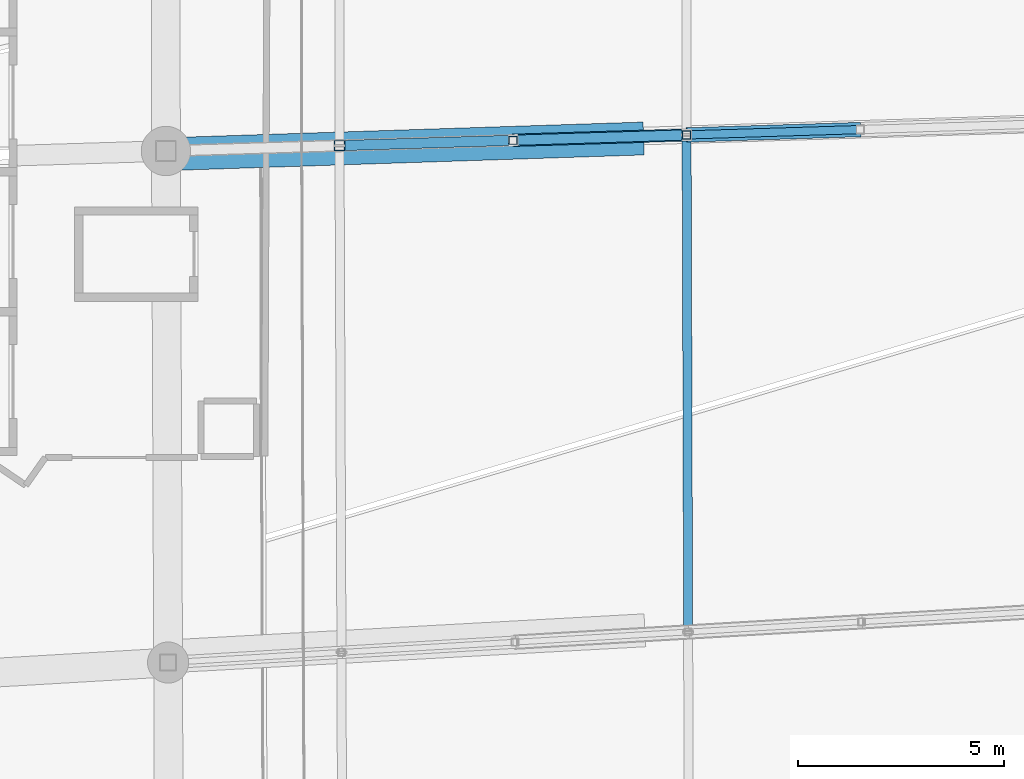
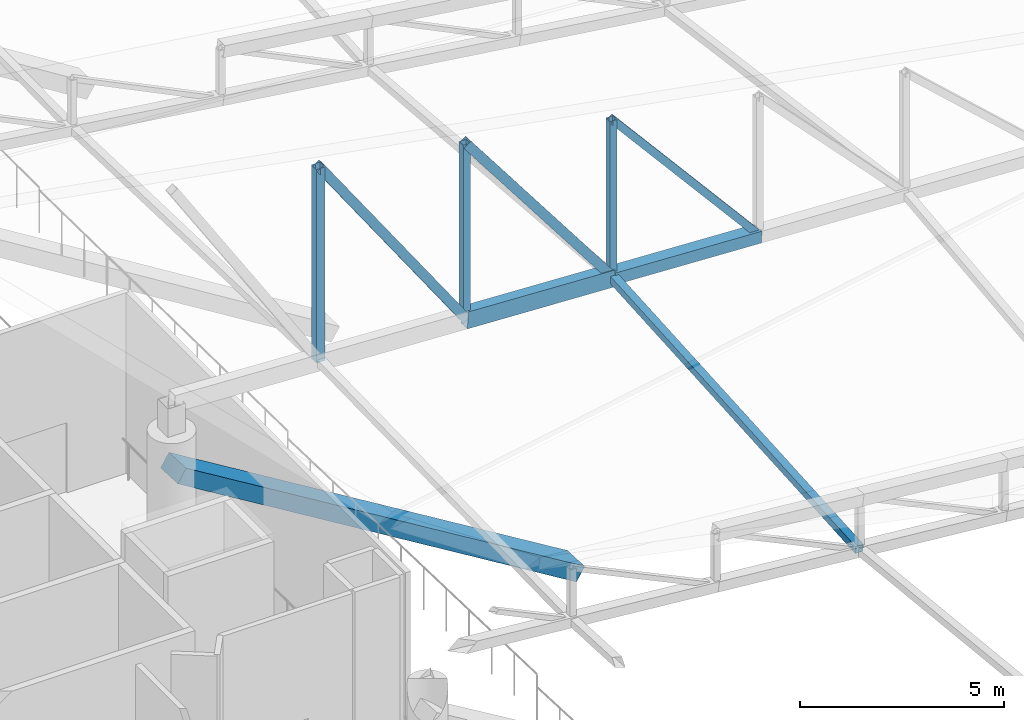
# One storey, part 52 of 344: 9 members, 1 beam.
"""IFC4 building model written with IfcOpenShell, lengths in metres."""

from ifc_helpers import new_model, si_unit, direction, frame, origin, origin_2d, place, context, subcontext, project, spatial, rectangle, hollow_rectangle, extrude, material, material_profile, profile_set, type_object, element, save


model = new_model("IFC4")

# Units and contexts
model_context = context("Model", 3, precision=1e-05, world=origin(), true_north=direction((0.0, 1.0)))
body_context = subcontext(model_context, "Body", "Model", "MODEL_VIEW")
ifc_project = project(units=[si_unit("LENGTHUNIT", "METRE"), si_unit("AREAUNIT", "SQUARE_METRE"), si_unit("VOLUMEUNIT", "CUBIC_METRE"), si_unit("PLANEANGLEUNIT", "RADIAN"), si_unit("MASSUNIT", "GRAM", prefix="KILO")], contexts=[model_context])

# Site, building, storey
site_placement = place(None, origin())
site = spatial("IfcSite", under=ifc_project, at=site_placement, CompositionType="ELEMENT")
building_placement = place(site_placement, origin())
building = spatial("IfcBuilding", under=site, at=building_placement, Name="Meseta Stadium", CompositionType="ELEMENT")
storey_placement = place(building_placement, frame((0.0, 0.0, 24.0)))
storey = spatial("IfcBuildingStorey", under=building, at=storey_placement, Name="L04", CompositionType="ELEMENT", Elevation=24.0)

# Beam
ifc_material_1 = material(Name="Concrete C40/50", Category="concrete")
ifc_material_profile_1 = material_profile(ifc_material_1, rectangle(XDim=0.800048828125, YDim=0.449951171875, at=origin_2d()), Name="RC 800x450")
ifc_profile_set_1 = profile_set([ifc_material_profile_1], Name="Concrete C40/50")
beam_type = type_object("IfcBeamType", Name="RC raker upper rear 800x450", PredefinedType="USERDEFINED", material=ifc_profile_set_1)
beam_placement = place(storey_placement, frame((-73.482421875, -17.943603515625, -2.289306640625), z_axis=(-0.847550592425, -0.027868228235, 0.529982410213), x_axis=(0.032863142058, -0.999459861072, 0.0)))
element("IfcBeam", 1, at=beam_placement, inside=storey, type_object=beam_type, Name="Raker upper rear frame 34 upper tier", ObjectType="RAKER", PredefinedType="USERDEFINED", context=body_context, shape_type="SweptSolid", body=[
    extrude(rectangle(XDim=0.800048828125, YDim=0.449951171875, at=origin_2d()), origin(), (0.0, 0.0, 1.0), 13.561279296875),
])

# Members
ifc_material_2 = material(Name="Steel S355", Category="steel")
ifc_material_profile_2 = material_profile(ifc_material_2, hollow_rectangle(XDim=0.300048828125, YDim=0.5, WallThickness=0.01611328125, at=origin_2d()), Name="RHS 500x300x16")
ifc_profile_set_2 = profile_set([ifc_material_profile_2], Name="Steel S355")
member_type_1 = type_object("IfcMemberType", Name="RHS 500x300x16 bottom chord", PredefinedType="CHORD", material=ifc_profile_set_2)
member_1_placement = place(storey_placement, frame((-72.318115234375, -17.85302734375, 5.938232421875), z_axis=(-0.996938731465, -0.030799264252, 0.071864949922), x_axis=(0.030879106142, -0.999523126698, 0.0)))
element("IfcMember", 2, at=member_1_placement, inside=storey, type_object=member_type_1, Name="ROOF TRUSS RT-34 bottom chord", PredefinedType="CHORD", context=body_context, shape_type="SweptSolid", body=[
    extrude(hollow_rectangle(XDim=0.300048828125, YDim=0.5, WallThickness=0.01611328125, at=origin_2d()), origin(), (0.0, 0.0, 1.0), 4.23291015625),
])
ifc_material_3 = material(Name="Steel S355", Category="steel")
ifc_material_profile_3 = material_profile(ifc_material_3, hollow_rectangle(XDim=0.199951171875, YDim=0.199951171875, WallThickness=0.008056640625, at=origin_2d()), Name="SHS 200x200x8")
ifc_profile_set_3 = profile_set([ifc_material_profile_3], Name="Steel S355")
member_type_2 = type_object("IfcMemberType", Name="SHS 200x200x8 diagonal", PredefinedType="BRACE", material=ifc_profile_set_3)
member_2_placement = place(storey_placement, frame((-68.097900390625, -17.722900390625, 5.6337890625), z_axis=(-0.645389113314, -0.0199000577, 0.763594709331), x_axis=(0.030819553754, -0.999524964724, 0.0)))
element("IfcMember", 3, at=member_2_placement, inside=storey, type_object=member_type_2, Name="ROOF TRUSS RT-34 diagonal", PredefinedType="BRACE", context=body_context, shape_type="SweptSolid", body=[
    extrude(hollow_rectangle(XDim=0.199951171875, YDim=0.199951171875, WallThickness=0.008056640625, at=origin_2d()), origin(), (0.0, 0.0, 1.0), 6.5390625),
])
ifc_material_4 = material(Name="Steel S355", Category="steel")
ifc_material_profile_4 = material_profile(ifc_material_4, hollow_rectangle(XDim=0.199951171875, YDim=0.199951171875, WallThickness=0.008056640625, at=origin_2d()), Name="SHS 200x200x8")
ifc_profile_set_4 = profile_set([ifc_material_profile_4], Name="Steel S355")
member_type_3 = type_object("IfcMemberType", Name="SHS 200x200x8 post", PredefinedType="POST", material=ifc_profile_set_4)
member_3_placement = place(storey_placement, frame((-72.318115234375, -17.85302734375, 5.938232421875), z_axis=(0.0, 0.0, 1.0), x_axis=(1.0, 0.0, 0.0)))
element("IfcMember", 4, at=member_3_placement, inside=storey, type_object=member_type_3, Name="ROOF TRUSS RT-34 post", PredefinedType="POST", context=body_context, shape_type="SweptSolid", body=[
    extrude(hollow_rectangle(XDim=0.199951171875, YDim=0.199951171875, WallThickness=0.008056640625, at=origin_2d()), origin(), (0.0, 0.0, 1.0), 4.688720703125),
])
member_4_placement = place(storey_placement, frame((-76.5380859375, -17.9833984375, 6.242431640625), z_axis=(0.0, 0.0, 1.0), x_axis=(1.0, 0.0, 0.0)))
element("IfcMember", 5, at=member_4_placement, inside=storey, type_object=member_type_3, Name="ROOF TRUSS RT-34 post", PredefinedType="POST", context=body_context, shape_type="SweptSolid", body=[
    extrude(hollow_rectangle(XDim=0.199951171875, YDim=0.199951171875, WallThickness=0.008056640625, at=origin_2d()), origin(), (0.0, 0.0, 1.0), 5.237060546875),
])
ifc_material_5 = material(Name="Steel S355", Category="steel")
ifc_material_profile_5 = material_profile(ifc_material_5, hollow_rectangle(XDim=0.219970703125, YDim=0.219970703125, WallThickness=0.008056640625, at=origin_2d()), Name="SHS 220x220x8")
ifc_profile_set_5 = profile_set([ifc_material_profile_5], Name="Steel S355")
member_type_4 = type_object("IfcMemberType", Name="SHS 220x220x8 strut", PredefinedType="STRUT", material=ifc_profile_set_5)
member_5_placement = place(storey_placement, frame((-72.318115234375, -17.85302734375, 5.938232421875), z_axis=(0.003103058979, -0.997492413641, -0.070705415309), x_axis=(0.999995161311, 0.003110844676, 0.0)))
element("IfcMember", 6, at=member_5_placement, inside=storey, type_object=member_type_4, Name="ROOF TRUSS STRUT RT-34/35", PredefinedType="STRUT", context=body_context, shape_type="SweptSolid", body=[
    extrude(hollow_rectangle(XDim=0.219970703125, YDim=0.219970703125, WallThickness=0.008056640625, at=origin_2d()), origin(), (0.0, 0.0, 1.0), 12.1162109375),
])
ifc_material_6 = material(Name="Steel S355", Category="steel")
ifc_material_profile_6 = material_profile(ifc_material_6, hollow_rectangle(XDim=0.25, YDim=0.25, WallThickness=0.010009765625, at=origin_2d()), Name="SHS 250x250x10")
ifc_profile_set_6 = profile_set([ifc_material_profile_6], Name="Steel S355")
member_type_5 = type_object("IfcMemberType", Name="SHS 250x250x10 diagonal", PredefinedType="BRACE", material=ifc_profile_set_6)
member_6_placement = place(storey_placement, frame((-72.318115234375, -17.85302734375, 5.938232421875), z_axis=(-0.60576073216, -0.018714274283, 0.795426747923), x_axis=(0.030879106142, -0.999523126698, 0.0)))
element("IfcMember", 7, at=member_6_placement, inside=storey, type_object=member_type_5, Name="ROOF TRUSS RT-34 diagonal", PredefinedType="BRACE", context=body_context, shape_type="SweptSolid", body=[
    extrude(hollow_rectangle(XDim=0.25, YDim=0.25, WallThickness=0.010009765625, at=origin_2d()), origin(), (0.0, 0.0, 1.0), 6.96630859375),
])
member_7_placement = place(storey_placement, frame((-76.5380859375, -17.9833984375, 6.242431640625), z_axis=(-0.569533317697, -0.017561104844, 0.821780632304), x_axis=(0.030819553754, -0.999524964724, 0.0)))
element("IfcMember", 8, at=member_7_placement, inside=storey, type_object=member_type_5, Name="ROOF TRUSS RT-34 diagonal", PredefinedType="BRACE", context=body_context, shape_type="SweptSolid", body=[
    extrude(hollow_rectangle(XDim=0.25, YDim=0.25, WallThickness=0.010009765625, at=origin_2d()), origin(), (0.0, 0.0, 1.0), 7.409912109375),
])
ifc_material_7 = material(Name="Steel S355", Category="steel")
ifc_material_profile_7 = material_profile(ifc_material_7, hollow_rectangle(XDim=0.25, YDim=0.25, WallThickness=0.010009765625, at=origin_2d()), Name="SHS 250x250x10")
ifc_profile_set_7 = profile_set([ifc_material_profile_7], Name="Steel S355")
member_type_6 = type_object("IfcMemberType", Name="SHS 250x250x10 post", PredefinedType="POST", material=ifc_profile_set_7)
member_8_placement = place(storey_placement, frame((-80.75830078125, -18.113525390625, 6.546630859375), z_axis=(0.0, 0.0, 1.0), x_axis=(1.0, 0.0, 0.0)))
element("IfcMember", 9, at=member_8_placement, inside=storey, type_object=member_type_6, Name="ROOF TRUSS RT-34 post", PredefinedType="POST", context=body_context, shape_type="SweptSolid", body=[
    extrude(hollow_rectangle(XDim=0.25, YDim=0.25, WallThickness=0.010009765625, at=origin_2d()), origin(), (0.0, 0.0, 1.0), 5.78515625),
])
ifc_material_8 = material(Name="Steel S355", Category="steel")
ifc_material_profile_8 = material_profile(ifc_material_8, hollow_rectangle(XDim=0.35009765625, YDim=0.35009765625, WallThickness=0.01416015625, at=origin_2d()), Name="SHS 350x350x14.2")
ifc_profile_set_8 = profile_set([ifc_material_profile_8], Name="Steel S355")
member_type_7 = type_object("IfcMemberType", Name="SHS 350x350x14.2 bottom chord", PredefinedType="CHORD", material=ifc_profile_set_8)
member_9_placement = place(storey_placement, frame((-68.097900390625, -17.722900390625, 5.6337890625), z_axis=(-0.996936719708, -0.030739747287, 0.071918320576), x_axis=(0.030819553754, -0.999524964724, 0.0)))
element("IfcMember", 10, at=member_9_placement, inside=storey, type_object=member_type_7, Name="ROOF TRUSS RT-34 bottom chord", PredefinedType="CHORD", context=body_context, shape_type="SweptSolid", body=[
    extrude(hollow_rectangle(XDim=0.35009765625, YDim=0.35009765625, WallThickness=0.01416015625, at=origin_2d()), origin(), (0.0, 0.0, 1.0), 4.233154296875),
])

save(model, "model.ifc")
